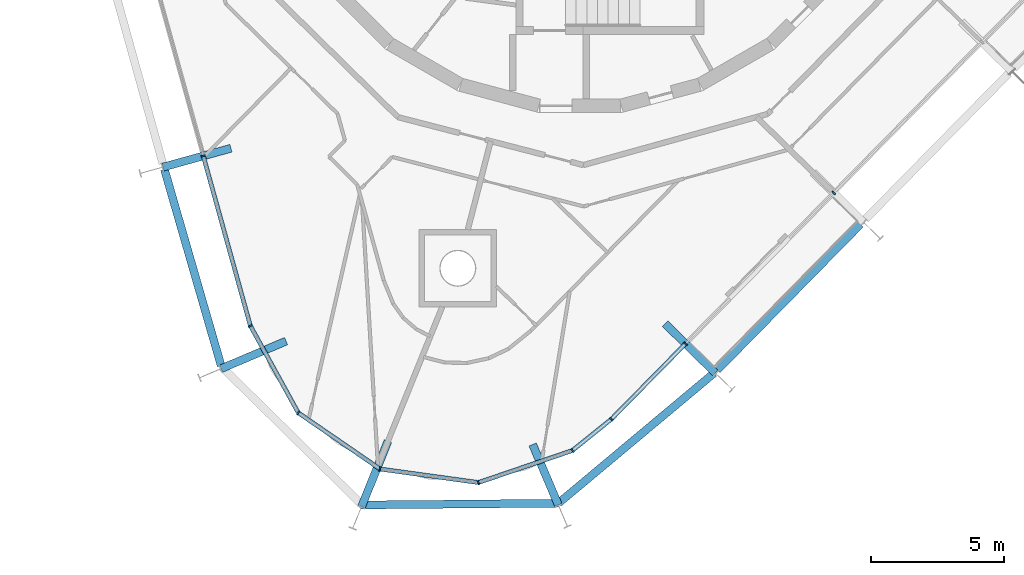
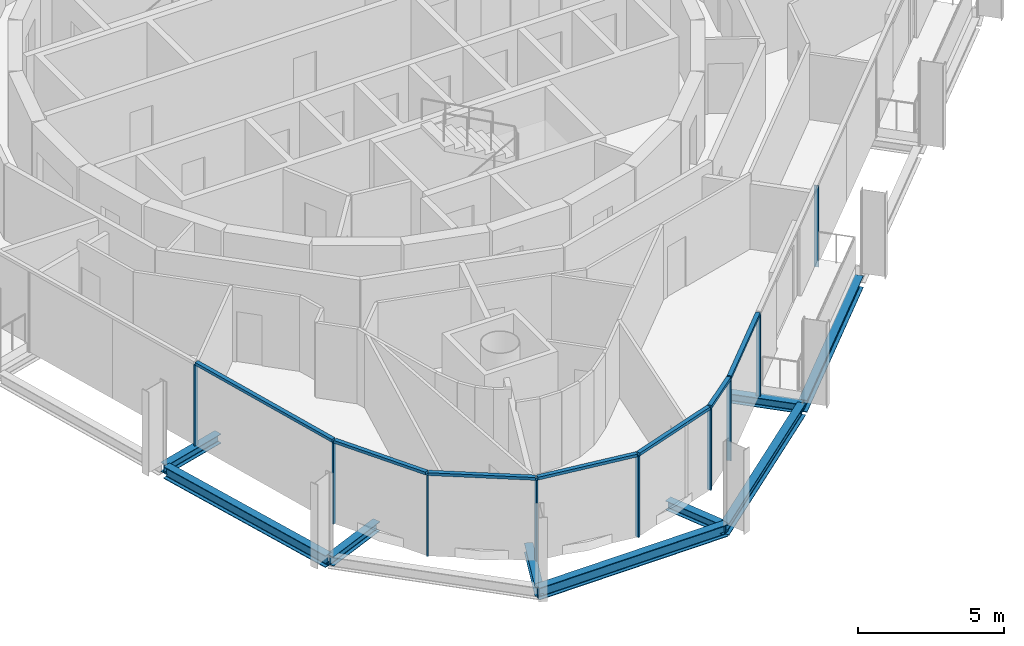
# One storey, part 2 of 15: 16 members, 9 beams, 2 elements without a shape of their own.
"""IFC4 building model written with IfcOpenShell, lengths in metres."""

from ifc_helpers import new_model, si_unit, direction, frame, origin, origin_2d, place, context, subcontext, project, spatial, rectangle, i_section, extrude, material, layer, layer_set, material_profile, profile_set, type_object, element, aggregate, save


model = new_model("IFC4")

# Units and contexts
model_context = context("Model", 3, precision=1e-05, world=origin(), true_north=direction((0.0, 1.0)))
body_context = subcontext(model_context, "Body", "Model", "MODEL_VIEW")
ifc_project = project(units=[si_unit("LENGTHUNIT", "METRE"), si_unit("AREAUNIT", "SQUARE_METRE"), si_unit("VOLUMEUNIT", "CUBIC_METRE"), si_unit("PLANEANGLEUNIT", "RADIAN"), si_unit("MASSUNIT", "GRAM", prefix="KILO")], contexts=[model_context])

# Site, building, storey
site_placement = place(None, origin())
site = spatial("IfcSite", under=ifc_project, at=site_placement, CompositionType="ELEMENT")
building_placement = place(site_placement, origin())
building = spatial("IfcBuilding", under=site, at=building_placement, Name="Spindle Arch Residences", CompositionType="ELEMENT")
storey_placement = place(building_placement, frame((0.0, 0.0, 319.199951171875)))
storey = spatial("IfcBuildingStorey", under=building, at=storey_placement, Name="L82", CompositionType="ELEMENT", Elevation=319.199951171875)

# Curtain wall, members
ifc_material_1 = material(Name="Aluminium bronze unitised frame with tinted glass", Category="aluminium")
ifc_layer_1 = layer(ifc_material_1, 0.159912109375)
ifc_layer_set_1 = layer_set([ifc_layer_1], Name="CW-D corner wall on the fillet arcs")
curtain_wall_type_1 = type_object("IfcCurtainWallType", Name="CW-D corner wall on the fillet arcs", PredefinedType="NOTDEFINED", material=ifc_layer_set_1)
curtain_wall_1_placement = place(storey_placement, origin())
curtain_wall_1 = element("IfcCurtainWall", 1, at=curtain_wall_1_placement, inside=storey, type_object=curtain_wall_type_1, Name="CW-D L82 run 5", PredefinedType="NOTDEFINED")
ifc_material_2 = material(Name="Aluminium bronze anodised mullion", Category="aluminium")
ifc_material_profile_1 = material_profile(ifc_material_2, rectangle(XDim=0.159912109375, YDim=0.06005859375, at=origin_2d()), Name="MU 60x160")
ifc_profile_set_1 = profile_set([ifc_material_profile_1], Name="Aluminium bronze anodised mullion")
member_type_1 = type_object("IfcMemberType", Name="Bronze mullion 60x160", PredefinedType="MULLION", material=ifc_profile_set_1)
member_1_placement = place(storey_placement, frame((-14.1435546875, -13.529296875, -0.3798828125), z_axis=(0.0, 0.0, 1.0), x_axis=(0.963630453209, 0.267238376078, 0.0)))
member_1 = element("IfcMember", 2, at=member_1_placement, type_object=member_type_1, Name="CW-D mullion 00", PredefinedType="MULLION", context=body_context, shape_type="SweptSolid", body=[
    extrude(rectangle(XDim=0.159912109375, YDim=0.06005859375, at=origin_2d()), origin(), (0.0, 0.0, 1.0), 3.3798828125),
])
member_2_placement = place(storey_placement, frame((-12.37548828125, -19.90478515625, -0.3798828125), z_axis=(0.0, 0.0, 1.0), x_axis=(0.876026260142, 0.482263404731, 0.0)))
member_2 = element("IfcMember", 3, at=member_2_placement, type_object=member_type_1, Name="CW-D mullion 01", PredefinedType="MULLION", context=body_context, shape_type="SweptSolid", body=[
    extrude(rectangle(XDim=0.159912109375, YDim=0.06005859375, at=origin_2d()), origin(), (0.0, 0.0, 1.0), 3.3798828125),
])
member_3_placement = place(storey_placement, frame((-10.578125, -23.16943359375, -0.3798828125), z_axis=(0.0, 0.0, 1.0), x_axis=(0.566406236997, 0.824126188573, 0.0)))
member_3 = element("IfcMember", 4, at=member_3_placement, type_object=member_type_1, Name="CW-D mullion 02", PredefinedType="MULLION", context=body_context, shape_type="SweptSolid", body=[
    extrude(rectangle(XDim=0.159912109375, YDim=0.06005859375, at=origin_2d()), origin(), (0.0, 0.0, 1.0), 3.3798828125),
])
member_4_placement = place(storey_placement, frame((-7.5068359375, -25.2802734375, -0.3798828125), z_axis=(0.0, 0.0, 1.0), x_axis=(0.136291936259, 0.99066871764, 0.0)))
member_4 = element("IfcMember", 5, at=member_4_placement, type_object=member_type_1, Name="CW-D mullion 03", PredefinedType="MULLION", context=body_context, shape_type="SweptSolid", body=[
    extrude(rectangle(XDim=0.159912109375, YDim=0.06005859375, at=origin_2d()), origin(), (0.0, 0.0, 1.0), 3.3798828125),
])
member_5_placement = place(storey_placement, frame((-3.81494140625, -25.788330078125, -0.3798828125), z_axis=(0.0, 0.0, 1.0), x_axis=(-0.322816381002, 0.946461612616, 0.0)))
member_5 = element("IfcMember", 6, at=member_5_placement, type_object=member_type_1, Name="CW-D mullion 04", PredefinedType="MULLION", context=body_context, shape_type="SweptSolid", body=[
    extrude(rectangle(XDim=0.159912109375, YDim=0.06005859375, at=origin_2d()), origin(), (0.0, 0.0, 1.0), 3.3798828125),
])
member_6_placement = place(storey_placement, frame((-0.28759765625, -24.585205078125, -0.3798828125), z_axis=(0.0, 0.0, 1.0), x_axis=(-0.627057102153, 0.778973292636, 0.0)))
member_6 = element("IfcMember", 7, at=member_6_placement, type_object=member_type_1, Name="CW-D mullion 05", PredefinedType="MULLION", context=body_context, shape_type="SweptSolid", body=[
    extrude(rectangle(XDim=0.159912109375, YDim=0.06005859375, at=origin_2d()), origin(), (0.0, 0.0, 1.0), 3.3798828125),
])
member_7_placement = place(storey_placement, frame((1.173828125, -23.40869140625, -0.3798828125), z_axis=(0.0, 0.0, 1.0), x_axis=(-0.713250449154, 0.7009092643, 0.0)))
member_7 = element("IfcMember", 8, at=member_7_placement, type_object=member_type_1, Name="CW-D mullion 06", PredefinedType="MULLION", context=body_context, shape_type="SweptSolid", body=[
    extrude(rectangle(XDim=0.159912109375, YDim=0.06005859375, at=origin_2d()), origin(), (0.0, 0.0, 1.0), 3.3798828125),
])

ifc_material_3 = material(Name="Aluminium bronze unitised frame with tinted glass", Category="aluminium")
ifc_layer_2 = layer(ifc_material_3, 0.159912109375)
ifc_layer_set_2 = layer_set([ifc_layer_2], Name="CW-C typical residential unitised wall")
curtain_wall_type_2 = type_object("IfcCurtainWallType", Name="CW-C typical residential unitised wall", PredefinedType="NOTDEFINED", material=ifc_layer_set_2)
curtain_wall_2_placement = place(storey_placement, origin())
curtain_wall_2 = element("IfcCurtainWall", 9, at=curtain_wall_2_placement, inside=storey, type_object=curtain_wall_type_2, Name="CW-C L82 run 6", PredefinedType="NOTDEFINED")
member_8_placement = place(storey_placement, frame((3.95703125, -20.576416015625, -0.3798828125), z_axis=(0.0, 0.0, 1.0), x_axis=(-0.713250449154, 0.7009092643, 0.0)))
member_8 = element("IfcMember", 10, at=member_8_placement, type_object=member_type_1, Name="CW-C mullion 18", PredefinedType="MULLION", context=body_context, shape_type="SweptSolid", body=[
    extrude(rectangle(XDim=0.159912109375, YDim=0.06005859375, at=origin_2d()), origin(), (0.0, 0.0, 1.0), 3.3798828125),
])
member_9_placement = place(storey_placement, frame((9.518798828125, -14.916748046875, -0.3798828125), z_axis=(0.0, 0.0, 1.0), x_axis=(-0.713250449154, 0.7009092643, 0.0)))
member_9 = element("IfcMember", 11, at=member_9_placement, type_object=member_type_1, Name="CW-C mullion 19", PredefinedType="MULLION", context=body_context, shape_type="SweptSolid", body=[
    extrude(rectangle(XDim=0.159912109375, YDim=0.06005859375, at=origin_2d()), origin(), (0.0, 0.0, 1.0), 3.3798828125),
])
aggregate(curtain_wall_2, [member_8, member_9])

# Member
ifc_material_4 = material(Name="Aluminium bronze anodised transom", Category="aluminium")
ifc_material_profile_2 = material_profile(ifc_material_4, rectangle(XDim=0.159912109375, YDim=0.1201171875, at=origin_2d()), Name="TR 120x160")
ifc_profile_set_2 = profile_set([ifc_material_profile_2], Name="Aluminium bronze anodised transom")
member_type_2 = type_object("IfcMemberType", Name="Bronze transom 120x160", PredefinedType="USERDEFINED", material=ifc_profile_set_2)
member_10_placement = place(storey_placement, frame((-14.135498046875, -13.558349609375, 3.06005859375), z_axis=(0.267236650425, -0.963630931773, 0.0), x_axis=(0.963630931773, 0.267236650425, 0.0)))
member_10 = element("IfcMember", 12, at=member_10_placement, type_object=member_type_2, Name="CW-D transom 00", ObjectType="TRANSOM", PredefinedType="USERDEFINED", context=body_context, shape_type="SweptSolid", body=[
    extrude(rectangle(XDim=0.159912109375, YDim=0.1201171875, at=origin_2d()), origin(), (0.0, 0.0, 1.0), 6.555908203125),
])

member_11_placement = place(storey_placement, frame((-12.36083984375, -19.930908203125, 3.06005859375), z_axis=(0.482258656, -0.87602887436, 0.0), x_axis=(0.87602887436, 0.482258656, 0.0)))
member_11 = element("IfcMember", 13, at=member_11_placement, type_object=member_type_2, Name="CW-D transom 01", ObjectType="TRANSOM", PredefinedType="USERDEFINED", context=body_context, shape_type="SweptSolid", body=[
    extrude(rectangle(XDim=0.159912109375, YDim=0.1201171875, at=origin_2d()), origin(), (0.0, 0.0, 1.0), 3.666748046875),
])

member_12_placement = place(storey_placement, frame((-10.553466796875, -23.1865234375, 3.06005859375), z_axis=(0.824162355163, -0.566353610682, 0.0), x_axis=(0.566353610682, 0.824162355163, 0.0)))
member_12 = element("IfcMember", 14, at=member_12_placement, type_object=member_type_2, Name="CW-D transom 02", ObjectType="TRANSOM", PredefinedType="USERDEFINED", context=body_context, shape_type="SweptSolid", body=[
    extrude(rectangle(XDim=0.159912109375, YDim=0.1201171875, at=origin_2d()), origin(), (0.0, 0.0, 1.0), 3.666748046875),
])

member_13_placement = place(storey_placement, frame((-7.47705078125, -25.284423828125, 3.06005859375), z_axis=(0.9906686165, -0.136292671414, 0.0), x_axis=(0.136292671414, 0.9906686165, 0.0)))
member_13 = element("IfcMember", 15, at=member_13_placement, type_object=member_type_2, Name="CW-D transom 03", ObjectType="TRANSOM", PredefinedType="USERDEFINED", context=body_context, shape_type="SweptSolid", body=[
    extrude(rectangle(XDim=0.159912109375, YDim=0.1201171875, at=origin_2d()), origin(), (0.0, 0.0, 1.0), 3.666748046875),
])

member_14_placement = place(storey_placement, frame((-3.786376953125, -25.778564453125, 3.06005859375), z_axis=(0.946449629286, 0.322851512656, 0.0), x_axis=(-0.322851512656, 0.946449629286, 0.0)))
member_14 = element("IfcMember", 16, at=member_14_placement, type_object=member_type_2, Name="CW-D transom 04", ObjectType="TRANSOM", PredefinedType="USERDEFINED", context=body_context, shape_type="SweptSolid", body=[
    extrude(rectangle(XDim=0.159912109375, YDim=0.1201171875, at=origin_2d()), origin(), (0.0, 0.0, 1.0), 3.666748046875),
])

member_15_placement = place(storey_placement, frame((-0.26416015625, -24.56640625, 3.06005859375), z_axis=(0.778910776855, 0.627134755614, 0.0), x_axis=(-0.627134755614, 0.778910776855, 0.0)))
member_15 = element("IfcMember", 17, at=member_15_placement, type_object=member_type_2, Name="CW-D transom 05", ObjectType="TRANSOM", PredefinedType="USERDEFINED", context=body_context, shape_type="SweptSolid", body=[
    extrude(rectangle(XDim=0.159912109375, YDim=0.1201171875, at=origin_2d()), origin(), (0.0, 0.0, 1.0), 1.816162109375),
])

member_16_placement = place(storey_placement, frame((1.19482421875, -23.387451171875, 3.06005859375), z_axis=(0.70089977121, 0.713259777863, 0.0), x_axis=(-0.713259777863, 0.70089977121, 0.0)))
member_16 = element("IfcMember", 18, at=member_16_placement, type_object=member_type_2, Name="CW-D transom 06", ObjectType="TRANSOM", PredefinedType="USERDEFINED", context=body_context, shape_type="SweptSolid", body=[
    extrude(rectangle(XDim=0.159912109375, YDim=0.1201171875, at=origin_2d()), origin(), (0.0, 0.0, 1.0), 3.910888671875),
])

aggregate(curtain_wall_1, [member_1, member_10, member_2, member_11, member_3, member_12, member_4, member_13, member_5, member_14, member_6, member_15, member_7, member_16])

# Beams
ifc_material_5 = material(Name="Steel S460ML, intumescent coating R 120", Category="steel")
ifc_material_profile_3 = material_profile(ifc_material_5, i_section(OverallWidth=0.300048828125, OverallDepth=0.5, WebThickness=0.014404296875, FlangeThickness=0.028076171875, FilletRadius=0.027099609375, at=origin_2d()), Name="HEB 500")
ifc_profile_set_3 = profile_set([ifc_material_profile_3], Name="Steel S460ML, intumescent coating R 120")
beam_type_1 = type_object("IfcBeamType", Name="Exoskeleton edge beam HEB 500", PredefinedType="BEAM", material=ifc_profile_set_3)
beam_1_placement = place(storey_placement, frame((-15.6005859375, -14.035888671875, -0.6298828125), z_axis=(0.277657791247, -0.960680046092, 0.0), x_axis=(0.960680046092, 0.277657791247, 0.0)))
element("IfcBeam", 19, at=beam_1_placement, inside=storey, type_object=beam_type_1, Name="Exoskeleton edge beam 15", PredefinedType="BEAM", context=body_context, shape_type="SweptSolid", body=[
    extrude(i_section(OverallWidth=0.300048828125, OverallDepth=0.5, WebThickness=0.014404296875, FlangeThickness=0.028076171875, FilletRadius=0.027099609375, at=origin_2d()), origin(), (0.0, 0.0, 1.0), 7.671875),
])
beam_2_placement = place(storey_placement, frame((-8.247314453125, -26.628662109375, -0.6298828125), z_axis=(0.999961377867, 0.00878878686, 0.0), x_axis=(-0.00878878686, 0.999961377867, 0.0)))
element("IfcBeam", 20, at=beam_2_placement, inside=storey, type_object=beam_type_1, Name="Exoskeleton edge beam 17", PredefinedType="BEAM", context=body_context, shape_type="SweptSolid", body=[
    extrude(i_section(OverallWidth=0.300048828125, OverallDepth=0.5, WebThickness=0.014404296875, FlangeThickness=0.028076171875, FilletRadius=0.027099609375, at=origin_2d()), origin(), (0.0, 0.0, 1.0), 7.472412109375),
])
beam_3_placement = place(storey_placement, frame((-0.811279296875, -26.5615234375, -0.6298828125), z_axis=(0.767144884688, 0.641473870003, 0.0), x_axis=(-0.641473870003, 0.767144884688, 0.0)))
element("IfcBeam", 21, at=beam_3_placement, inside=storey, type_object=beam_type_1, Name="Exoskeleton edge beam 18", PredefinedType="BEAM", context=body_context, shape_type="SweptSolid", body=[
    extrude(i_section(OverallWidth=0.300048828125, OverallDepth=0.5, WebThickness=0.014404296875, FlangeThickness=0.028076171875, FilletRadius=0.027099609375, at=origin_2d()), origin(), (0.0, 0.0, 1.0), 7.611572265625),
])
beam_4_placement = place(storey_placement, frame((5.146484375, -21.56298828125, -0.6298828125), z_axis=(0.700924831043, 0.713235151425, 0.0), x_axis=(-0.713235151425, 0.700924831043, 0.0)))
element("IfcBeam", 22, at=beam_4_placement, inside=storey, type_object=beam_type_1, Name="Exoskeleton edge beam 19", PredefinedType="BEAM", context=body_context, shape_type="SweptSolid", body=[
    extrude(i_section(OverallWidth=0.300048828125, OverallDepth=0.5, WebThickness=0.014404296875, FlangeThickness=0.028076171875, FilletRadius=0.027099609375, at=origin_2d()), origin(), (0.0, 0.0, 1.0), 7.675048828125),
])
ifc_material_6 = material(Name="Steel S460ML, intumescent coating R 120", Category="steel")
ifc_material_profile_4 = material_profile(ifc_material_6, i_section(OverallWidth=0.300048828125, OverallDepth=0.389892578125, WebThickness=0.010986328125, FlangeThickness=0.01904296875, FilletRadius=0.027099609375, at=origin_2d()), Name="HEA 400")
ifc_profile_set_4 = profile_set([ifc_material_profile_4], Name="Steel S460ML, intumescent coating R 120")
beam_type_2 = type_object("IfcBeamType", Name="Floor outrigger HEA 400", PredefinedType="BEAM", material=ifc_profile_set_4)
beam_5_placement = place(storey_placement, frame((-15.656494140625, -13.948974609375, -0.574951171875), z_axis=(0.963626057771, 0.267254225009, 0.0), x_axis=(-0.267254225009, 0.963626057771, 0.0)))
element("IfcBeam", 23, at=beam_5_placement, inside=storey, type_object=beam_type_2, Name="Floor outrigger 15", PredefinedType="BEAM", context=body_context, shape_type="SweptSolid", body=[
    extrude(i_section(OverallWidth=0.300048828125, OverallDepth=0.389892578125, WebThickness=0.010986328125, FlangeThickness=0.01904296875, FilletRadius=0.027099609375, at=origin_2d()), origin(), (0.0, 0.0, 1.0), 2.650146484375),
])
for number, where, z_axis, x_axis, name in (
    (24, (-13.47314453125, -21.51318359375, -0.574951171875), (0.920615907856, 0.390469397267, 0.0), (-0.390469397267, 0.920615907856, 0.0), "Floor outrigger 16"),
    (25, (-8.20458984375, -26.692626953125, -0.574951171875), (0.374597094323, 0.927187692393, 0.0), (-0.927187692393, 0.374597094323, 0.0), "Floor outrigger 17"),
):
    element("IfcBeam", number, at=place(storey_placement, frame(where, z_axis=z_axis, x_axis=x_axis)), inside=storey, type_object=beam_type_2, Name=name, PredefinedType="BEAM", context=body_context, shape_type="SweptSolid", body=[
        extrude(i_section(OverallWidth=0.300048828125, OverallDepth=0.389892578125, WebThickness=0.010986328125, FlangeThickness=0.01904296875, FilletRadius=0.027099609375, at=origin_2d()), origin(), (0.0, 0.0, 1.0), 2.64990234375),
    ])
beam_6_placement = place(storey_placement, frame((-0.81689453125, -26.62744140625, -0.574951171875), z_axis=(-0.39089545077, 0.920435085472, 0.0), x_axis=(-0.920435085472, -0.39089545077, 0.0)))
element("IfcBeam", 26, at=beam_6_placement, inside=storey, type_object=beam_type_2, Name="Floor outrigger 18", PredefinedType="BEAM", context=body_context, shape_type="SweptSolid", body=[
    extrude(i_section(OverallWidth=0.300048828125, OverallDepth=0.389892578125, WebThickness=0.010986328125, FlangeThickness=0.01904296875, FilletRadius=0.027099609375, at=origin_2d()), origin(), (0.0, 0.0, 1.0), 2.467041015625),
])
beam_7_placement = place(storey_placement, frame((5.076904296875, -21.677001953125, -0.574951171875), z_axis=(-0.713252393258, 0.70090728596, 0.0), x_axis=(-0.70090728596, -0.713252393258, 0.0)))
element("IfcBeam", 27, at=beam_7_placement, inside=storey, type_object=beam_type_2, Name="Floor outrigger 19", PredefinedType="BEAM", context=body_context, shape_type="SweptSolid", body=[
    extrude(i_section(OverallWidth=0.300048828125, OverallDepth=0.389892578125, WebThickness=0.010986328125, FlangeThickness=0.01904296875, FilletRadius=0.027099609375, at=origin_2d()), origin(), (0.0, 0.0, 1.0), 2.650146484375),
])

save(model, "model.ifc")
